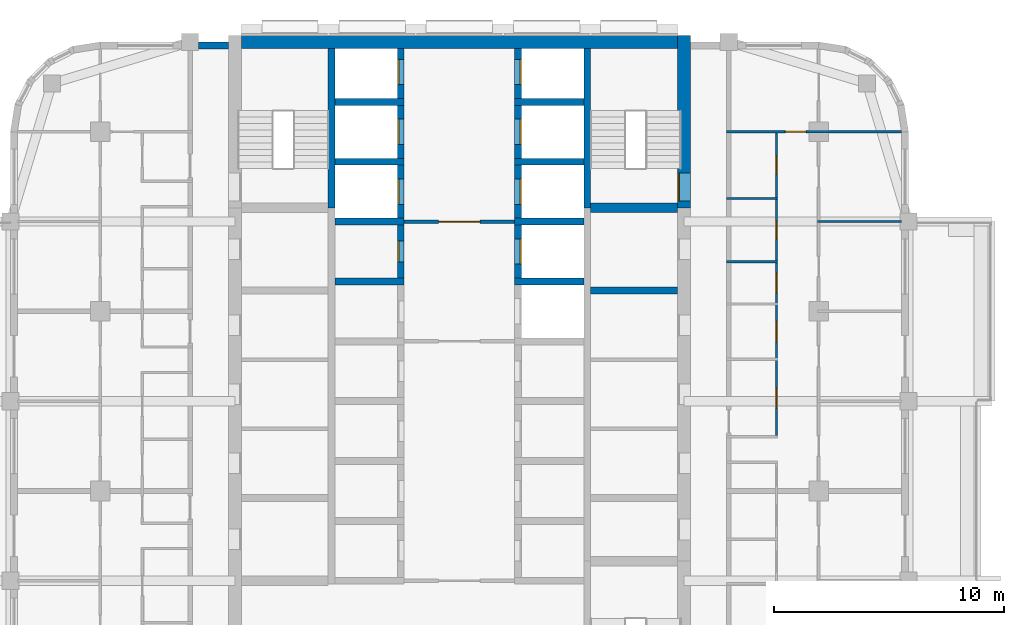
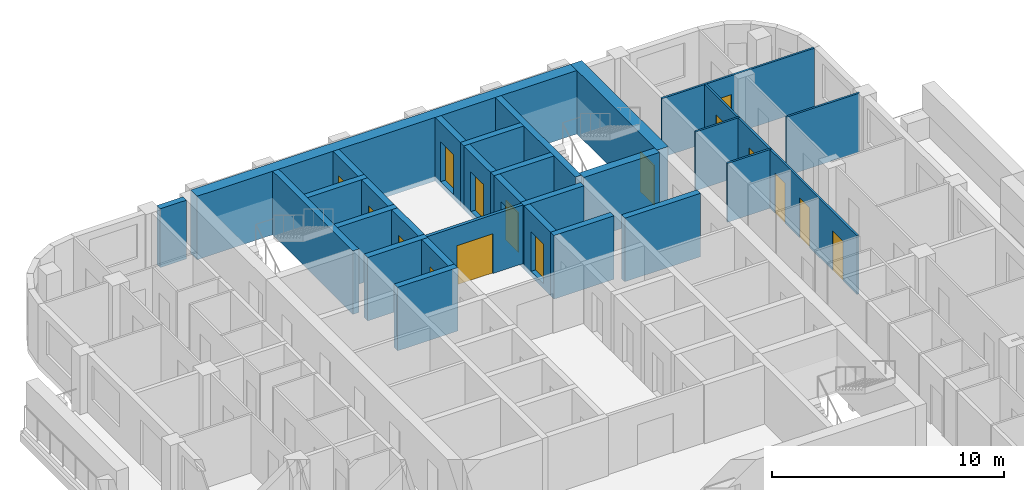
# One storey, part 8 of 13: 29 walls, 16 doors, 16 openings.
"""IFC4 building model written with IfcOpenShell, lengths in metres."""

from ifc_helpers import new_model, si_unit, direction, frame, frame_2d, origin, place, context, subcontext, project, spatial, rectangle, extrude, material, layer, layer_set, type_object, element, fill, save


model = new_model("IFC4")

# Units and contexts
model_context = context("Model", 3, precision=1e-05, world=origin(), true_north=direction((0.0, 1.0)))
body_context = subcontext(model_context, "Body", "Model", "MODEL_VIEW")
ifc_project = project(units=[si_unit("LENGTHUNIT", "METRE"), si_unit("AREAUNIT", "SQUARE_METRE"), si_unit("VOLUMEUNIT", "CUBIC_METRE"), si_unit("PLANEANGLEUNIT", "RADIAN"), si_unit("MASSUNIT", "GRAM", prefix="KILO")], contexts=[model_context])

# Site, building, storey
site_placement = place(None, origin())
site = spatial("IfcSite", under=ifc_project, at=site_placement, CompositionType="ELEMENT")
building_placement = place(site_placement, origin())
building = spatial("IfcBuilding", under=site, at=building_placement, Name="Ludao Terraces", CompositionType="ELEMENT")
storey_placement = place(building_placement, frame((0.0, 0.0, 169.0)))
storey = spatial("IfcBuildingStorey", under=building, at=storey_placement, Name="L46", CompositionType="ELEMENT", Elevation=169.0)

# Wall, opening, door
ifc_material_1 = material(Name="Concrete C60", Category="concrete")
ifc_layer_1 = layer(ifc_material_1, 0.550048828125)
ifc_layer_set_1 = layer_set([ifc_layer_1], Name="Core wall 550 C60")
wall_type_1 = type_object("IfcWallType", Name="Core wall 550 C60", PredefinedType="SOLIDWALL", material=ifc_layer_set_1)
wall_1_placement = place(storey_placement, frame((94.75, 77.300048828125, -0.25), z_axis=(0.0, 0.0, 1.0), x_axis=(0.0, 1.0, 0.0)))
wall_1 = element("IfcWall", 1, at=wall_1_placement, inside=storey, type_object=wall_type_1, Name="Core wall L46 outer-E-S2", PredefinedType="SOLIDWALL", context=body_context, shape_type="SweptSolid", body=[
    extrude(rectangle(XDim=7.474853515625, YDim=0.550048828125, at=frame_2d((3.7373046875, 0.0))), origin(), (0.0, 0.0, 1.0), 3.35009765625),
])
opening_1_placement = place(wall_1_placement, frame((0.300048828125, 0.0, 0.25)))
opening_1 = element("IfcOpeningElement", 2, at=opening_1_placement, cuts=wall_1, Name="Opening R16-077", PredefinedType="OPENING", context=body_context, shape_type="SweptSolid", body=[
    extrude(rectangle(XDim=1.199951171875, YDim=2.10009765625, at=frame_2d((0.60009765625, 1.050048828125))), frame((0.0, 0.28515625, 0.0), z_axis=(0.0, -1.0, 0.0), x_axis=(1.0, 0.0, 0.0)), (0.0, 0.0, 1.0), 0.570068359375),
])
ifc_material_2 = material(Name="Steel Q235", Category="steel")
door_type_1 = type_object("IfcDoorType", Name="INT Stair door 1200", OperationType="DOUBLE_DOOR_SINGLE_SWING", PredefinedType="DOOR", material=ifc_material_2)
door_1_placement = place(opening_1_placement, origin())
door_1 = element("IfcDoor", 3, at=door_1_placement, inside=storey, type_object=door_type_1, Name="DOOR 077", OperationType="DOUBLE_DOOR_SINGLE_SWING", OverallHeight=2.10009765625, OverallWidth=1.199951171875, PredefinedType="DOOR", context=body_context, shape_type="SweptSolid", body=[
    extrude(rectangle(XDim=1.199951171875, YDim=2.10009765625, at=frame_2d((0.60009765625, 1.050048828125))), frame((0.0, 0.26025390625, 0.0), z_axis=(0.0, -1.0, 0.0), x_axis=(1.0, 0.0, 0.0)), (0.0, 0.0, 1.0), 0.050048828125),
])
fill(opening_1, door_1)

# Walls
wall_2_placement = place(storey_placement, frame((75.52490234375, 84.5, -0.25), z_axis=(0.0, 0.0, 1.0), x_axis=(1.0, 0.0, 0.0)))
element("IfcWall", 4, at=wall_2_placement, inside=storey, type_object=wall_type_1, Name="Core wall L46 outer-N", PredefinedType="SOLIDWALL", context=body_context, shape_type="SweptSolid", body=[
    extrude(rectangle(XDim=18.9501953125, YDim=0.550048828125, at=frame_2d((9.47509765625, 0.0))), origin(), (0.0, 0.0, 1.0), 3.35009765625),
])
ifc_material_3 = material(Name="Granite cladding", Category="masonry")
ifc_layer_2 = layer(ifc_material_3, 0.0400390625, Category="stone")
ifc_material_4 = material(Name="Mineral wool")
ifc_layer_3 = layer(ifc_material_4, 0.06005859375)
ifc_material_5 = material(Name="Concrete C40", Category="concrete")
ifc_layer_4 = layer(ifc_material_5, 0.199951171875, Category="concrete")
ifc_layer_set_2 = layer_set([ifc_layer_2, ifc_layer_3, ifc_layer_4], Name="ENV Stone-clad wall 300")
wall_type_2 = type_object("IfcWallType", Name="ENV Stone-clad wall 300", PredefinedType="SOLIDWALL", material=ifc_layer_set_2)
wall_3_placement = place(storey_placement, frame((73.675048828125, 84.35009765625, 0.0), z_axis=(0.0, 0.0, 1.0), x_axis=(1.0, 0.0, 0.0)))
element("IfcWall", 5, at=wall_3_placement, inside=storey, type_object=wall_type_2, Name="EW-L46-N2", PredefinedType="SOLIDWALL", context=body_context, shape_type="SweptSolid", body=[
    extrude(rectangle(XDim=1.300048828125, YDim=0.300048828125, at=frame_2d((0.64990234375, 0.0))), origin(), (0.0, 0.0, 1.0), 3.10009765625),
])

# Wall, opening, door
ifc_material_6 = material(Name="Fire-rated gypsum plasterboard", Category="gypsum")
ifc_layer_5 = layer(ifc_material_6, 0.012451171875, Category="gypsum")
ifc_layer_6 = layer(ifc_material_4, 0.10009765625, Name="insulation")
ifc_layer_7 = layer(ifc_material_2, 0.02490234375, Name="stud")
ifc_layer_8 = layer(ifc_material_6, 0.012451171875, Category="gypsum")
ifc_layer_set_3 = layer_set([ifc_layer_5, ifc_layer_6, ifc_layer_7, ifc_layer_8], Name="INT Core partition 150")
wall_type_3 = type_object("IfcWallType", Name="INT Core partition 150", PredefinedType="PARTITIONING", material=ifc_layer_set_3)
wall_4_placement = place(storey_placement, frame((82.60009765625, 76.699951171875, 0.0), z_axis=(0.0, 0.0, 1.0), x_axis=(1.0, 0.0, 0.0)))
wall_4 = element("IfcWall", 6, at=wall_4_placement, inside=storey, type_object=wall_type_3, Name="PW-L46-PW042", PredefinedType="PARTITIONING", context=body_context, shape_type="SweptSolid", body=[
    extrude(rectangle(XDim=4.800048828125, YDim=0.14990234375, at=frame_2d((2.39990234375, 0.0))), origin(), (0.0, 0.0, 1.0), 3.10009765625),
])
opening_2_placement = place(wall_4_placement, frame((1.5, 0.0, 0.0)))
opening_2 = element("IfcOpeningElement", 7, at=opening_2_placement, cuts=wall_4, Name="Opening R16-073", PredefinedType="OPENING", context=body_context, shape_type="SweptSolid", body=[
    extrude(rectangle(XDim=1.800048828125, YDim=2.10009765625, at=frame_2d((0.89990234375, 1.050048828125))), frame((0.0, 0.0849609375, 0.0), z_axis=(0.0, -1.0, 0.0), x_axis=(1.0, 0.0, 0.0)), (0.0, 0.0, 1.0), 0.169921875),
])
door_type_2 = type_object("IfcDoorType", Name="INT Fire lobby door 1800", OperationType="DOUBLE_DOOR_SINGLE_SWING", PredefinedType="DOOR", material=ifc_material_2)
door_2_placement = place(opening_2_placement, origin())
door_2 = element("IfcDoor", 8, at=door_2_placement, inside=storey, type_object=door_type_2, Name="DOOR 073", OperationType="DOUBLE_DOOR_SINGLE_SWING", OverallHeight=2.10009765625, OverallWidth=1.800048828125, PredefinedType="DOOR", context=body_context, shape_type="SweptSolid", body=[
    extrude(rectangle(XDim=1.800048828125, YDim=2.10009765625, at=frame_2d((0.89990234375, 1.050048828125))), frame((0.0, 0.02490234375, 0.0), z_axis=(0.0, -1.0, 0.0), x_axis=(1.0, 0.0, 0.0)), (0.0, 0.0, 1.0), 0.050048828125),
])
fill(opening_2, door_2)

# Walls
ifc_material_7 = material(Name="Gypsum plasterboard", Category="gypsum")
ifc_layer_9 = layer(ifc_material_7, 0.012451171875, Category="gypsum")
ifc_layer_10 = layer(ifc_material_4, 0.06005859375, Name="insulation")
ifc_layer_11 = layer(ifc_material_2, 0.014892578125, Name="stud")
ifc_layer_12 = layer(ifc_material_7, 0.012451171875, Category="gypsum")
ifc_layer_set_4 = layer_set([ifc_layer_9, ifc_layer_10, ifc_layer_11, ifc_layer_12], Name="INT Partition 100")
wall_type_4 = type_object("IfcWallType", Name="INT Partition 100", PredefinedType="PARTITIONING", material=ifc_layer_set_4)
wall_5_placement = place(storey_placement, frame((96.60009765625, 74.949951171875, 0.0), z_axis=(0.0, 0.0, 1.0), x_axis=(1.0, 0.0, 0.0)))
element("IfcWall", 9, at=wall_5_placement, inside=storey, type_object=wall_type_4, Name="PW-L46-PW040", PredefinedType="PARTITIONING", context=body_context, shape_type="SweptSolid", body=[
    extrude(rectangle(XDim=2.219970703125, YDim=0.10009765625, at=frame_2d((1.10986328125, 0.0))), origin(), (0.0, 0.0, 1.0), 3.10009765625),
])
wall_6_placement = place(storey_placement, frame((100.550048828125, 76.699951171875, 0.0), z_axis=(0.0, 0.0, 1.0), x_axis=(1.0, 0.0, 0.0)))
element("IfcWall", 10, at=wall_6_placement, inside=storey, type_object=wall_type_4, Name="PW-L46-PW043", PredefinedType="PARTITIONING", context=body_context, shape_type="SweptSolid", body=[
    extrude(rectangle(XDim=3.650146484375, YDim=0.10009765625, at=frame_2d((1.8251953125, 0.0))), origin(), (0.0, 0.0, 1.0), 3.10009765625),
])
wall_7_placement = place(storey_placement, frame((96.60009765625, 77.699951171875, 0.0), z_axis=(0.0, 0.0, 1.0), x_axis=(1.0, 0.0, 0.0)))
element("IfcWall", 11, at=wall_7_placement, inside=storey, type_object=wall_type_4, Name="PW-L46-PW045", PredefinedType="PARTITIONING", context=body_context, shape_type="SweptSolid", body=[
    extrude(rectangle(XDim=2.219970703125, YDim=0.10009765625, at=frame_2d((1.10986328125, 0.0))), origin(), (0.0, 0.0, 1.0), 3.10009765625),
])

# Wall, opening, door
wall_8_placement = place(storey_placement, frame((96.60009765625, 80.60009765625, 0.0), z_axis=(0.0, 0.0, 1.0), x_axis=(1.0, 0.0, 0.0)))
wall_8 = element("IfcWall", 12, at=wall_8_placement, inside=storey, type_object=wall_type_4, Name="PW-L46-PW048", PredefinedType="PARTITIONING", context=body_context, shape_type="SweptSolid", body=[
    extrude(rectangle(XDim=7.60009765625, YDim=0.10009765625, at=frame_2d((3.800048828125, 0.0))), origin(), (0.0, 0.0, 1.0), 3.10009765625),
])
opening_3_placement = place(wall_8_placement, frame((2.56005859375, 0.0, 0.0)))
opening_3 = element("IfcOpeningElement", 13, at=opening_3_placement, cuts=wall_8, Name="Opening R16-086", PredefinedType="OPENING", context=body_context, shape_type="SweptSolid", body=[
    extrude(rectangle(XDim=0.89990234375, YDim=2.10009765625, at=frame_2d((0.449951171875, 1.050048828125))), frame((0.0, 0.06005859375, 0.0), z_axis=(0.0, -1.0, 0.0), x_axis=(1.0, 0.0, 0.0)), (0.0, 0.0, 1.0), 0.1201171875),
])
ifc_material_8 = material(Name="Timber door leaf", Category="wood")
door_type_3 = type_object("IfcDoorType", Name="INT Room door 900", OperationType="SINGLE_SWING_LEFT", PredefinedType="DOOR", material=ifc_material_8)
door_3_placement = place(opening_3_placement, origin())
door_3 = element("IfcDoor", 14, at=door_3_placement, inside=storey, type_object=door_type_3, Name="DOOR 086", OperationType="SINGLE_SWING_RIGHT", OverallHeight=2.10009765625, OverallWidth=0.89990234375, PredefinedType="DOOR", context=body_context, shape_type="SweptSolid", body=[
    extrude(rectangle(XDim=0.89990234375, YDim=2.10009765625, at=frame_2d((0.449951171875, 1.050048828125))), frame((0.0, 0.02490234375, 0.0), z_axis=(0.0, -1.0, 0.0), x_axis=(1.0, 0.0, 0.0)), (0.0, 0.0, 1.0), 0.050048828125),
])
fill(opening_3, door_3)

# Wall, openings, doors
wall_9_placement = place(storey_placement, frame((98.77001953125, 67.400146484375, 0.0), z_axis=(0.0, 0.0, 1.0), x_axis=(0.0, 1.0, 0.0)))
wall_9 = element("IfcWall", 15, at=wall_9_placement, inside=storey, type_object=wall_type_4, Name="PW-L46-PW061", PredefinedType="PARTITIONING", context=body_context, shape_type="SweptSolid", body=[
    extrude(rectangle(XDim=13.14990234375, YDim=0.10009765625, at=frame_2d((6.574951171875, 0.0))), origin(), (0.0, 0.0, 1.0), 3.10009765625),
])
opening_4_placement = place(wall_9_placement, frame((1.18505859375, 0.0, 0.0)))
opening_4 = element("IfcOpeningElement", 16, at=opening_4_placement, cuts=wall_9, Name="Opening R16-048", PredefinedType="OPENING", context=body_context, shape_type="SweptSolid", body=[
    extrude(rectangle(XDim=0.89990234375, YDim=2.10009765625, at=frame_2d((0.449951171875, 1.050048828125))), frame((0.0, 0.06005859375, 0.0), z_axis=(0.0, -1.0, 0.0), x_axis=(1.0, 0.0, 0.0)), (0.0, 0.0, 1.0), 0.1201171875),
])
opening_5_placement = place(wall_9_placement, frame((4.070068359375, 0.0, 0.0)))
opening_5 = element("IfcOpeningElement", 17, at=opening_5_placement, cuts=wall_9, Name="Opening R16-056", PredefinedType="OPENING", context=body_context, shape_type="SweptSolid", body=[
    extrude(rectangle(XDim=0.89990234375, YDim=2.10009765625, at=frame_2d((0.449951171875, 1.050048828125))), frame((0.0, 0.06005859375, 0.0), z_axis=(0.0, -1.0, 0.0), x_axis=(1.0, 0.0, 0.0)), (0.0, 0.0, 1.0), 0.1201171875),
])
opening_6_placement = place(wall_9_placement, frame((6.18505859375, 0.0, 0.0)))
opening_6 = element("IfcOpeningElement", 18, at=opening_6_placement, cuts=wall_9, Name="Opening R16-064", PredefinedType="OPENING", context=body_context, shape_type="SweptSolid", body=[
    extrude(rectangle(XDim=0.89990234375, YDim=2.10009765625, at=frame_2d((0.449951171875, 1.050048828125))), frame((0.0, 0.06005859375, 0.0), z_axis=(0.0, -1.0, 0.0), x_axis=(1.0, 0.0, 0.0)), (0.0, 0.0, 1.0), 0.1201171875),
])
opening_7_placement = place(wall_9_placement, frame((8.52490234375, 0.0, 0.0)))
opening_7 = element("IfcOpeningElement", 19, at=opening_7_placement, cuts=wall_9, Name="Opening R16-072", PredefinedType="OPENING", context=body_context, shape_type="SweptSolid", body=[
    extrude(rectangle(XDim=0.800048828125, YDim=2.10009765625, at=frame_2d((0.39990234375, 1.050048828125))), frame((0.0, 0.06005859375, 0.0), z_axis=(0.0, -1.0, 0.0), x_axis=(1.0, 0.0, 0.0)), (0.0, 0.0, 1.0), 0.1201171875),
])
opening_8_placement = place(wall_9_placement, frame((11.35009765625, 0.0, 0.0)))
opening_8 = element("IfcOpeningElement", 20, at=opening_8_placement, cuts=wall_9, Name="Opening R16-081", PredefinedType="OPENING", context=body_context, shape_type="SweptSolid", body=[
    extrude(rectangle(XDim=0.800048828125, YDim=2.10009765625, at=frame_2d((0.39990234375, 1.050048828125))), frame((0.0, 0.06005859375, 0.0), z_axis=(0.0, -1.0, 0.0), x_axis=(1.0, 0.0, 0.0)), (0.0, 0.0, 1.0), 0.1201171875),
])
door_type_4 = type_object("IfcDoorType", Name="INT Bathroom door 900", OperationType="SINGLE_SWING_LEFT", PredefinedType="DOOR", material=ifc_material_8)
door_4_placement = place(opening_5_placement, origin())
door_4 = element("IfcDoor", 21, at=door_4_placement, inside=storey, type_object=door_type_4, Name="DOOR 056", OperationType="SINGLE_SWING_RIGHT", OverallHeight=2.10009765625, OverallWidth=0.89990234375, PredefinedType="DOOR", context=body_context, shape_type="SweptSolid", body=[
    extrude(rectangle(XDim=0.89990234375, YDim=2.10009765625, at=frame_2d((0.449951171875, 1.050048828125))), frame((0.0, 0.02490234375, 0.0), z_axis=(0.0, -1.0, 0.0), x_axis=(1.0, 0.0, 0.0)), (0.0, 0.0, 1.0), 0.050048828125),
])
fill(opening_5, door_4)
door_5_placement = place(opening_6_placement, origin())
door_5 = element("IfcDoor", 22, at=door_5_placement, inside=storey, type_object=door_type_4, Name="DOOR 064", OperationType="SINGLE_SWING_LEFT", OverallHeight=2.10009765625, OverallWidth=0.89990234375, PredefinedType="DOOR", context=body_context, shape_type="SweptSolid", body=[
    extrude(rectangle(XDim=0.89990234375, YDim=2.10009765625, at=frame_2d((0.449951171875, 1.050048828125))), frame((0.0, 0.02490234375, 0.0), z_axis=(0.0, -1.0, 0.0), x_axis=(1.0, 0.0, 0.0)), (0.0, 0.0, 1.0), 0.050048828125),
])
fill(opening_6, door_5)
door_6_placement = place(opening_4_placement, origin())
door_6 = element("IfcDoor", 23, at=door_6_placement, inside=storey, type_object=door_type_3, Name="DOOR 048", OperationType="SINGLE_SWING_LEFT", OverallHeight=2.10009765625, OverallWidth=0.89990234375, PredefinedType="DOOR", context=body_context, shape_type="SweptSolid", body=[
    extrude(rectangle(XDim=0.89990234375, YDim=2.10009765625, at=frame_2d((0.449951171875, 1.050048828125))), frame((0.0, 0.02490234375, 0.0), z_axis=(0.0, -1.0, 0.0), x_axis=(1.0, 0.0, 0.0)), (0.0, 0.0, 1.0), 0.050048828125),
])
fill(opening_4, door_6)
door_type_5 = type_object("IfcDoorType", Name="INT Store door 800", OperationType="SINGLE_SWING_LEFT", PredefinedType="DOOR", material=ifc_material_8)
door_7_placement = place(opening_7_placement, origin())
door_7 = element("IfcDoor", 24, at=door_7_placement, inside=storey, type_object=door_type_5, Name="DOOR 072", OperationType="SINGLE_SWING_LEFT", OverallHeight=2.10009765625, OverallWidth=0.800048828125, PredefinedType="DOOR", context=body_context, shape_type="SweptSolid", body=[
    extrude(rectangle(XDim=0.800048828125, YDim=2.10009765625, at=frame_2d((0.39990234375, 1.050048828125))), frame((0.0, 0.02490234375, 0.0), z_axis=(0.0, -1.0, 0.0), x_axis=(1.0, 0.0, 0.0)), (0.0, 0.0, 1.0), 0.050048828125),
])
fill(opening_7, door_7)
door_8_placement = place(opening_8_placement, origin())
door_8 = element("IfcDoor", 25, at=door_8_placement, inside=storey, type_object=door_type_5, Name="DOOR 081", OperationType="SINGLE_SWING_RIGHT", OverallHeight=2.10009765625, OverallWidth=0.800048828125, PredefinedType="DOOR", context=body_context, shape_type="SweptSolid", body=[
    extrude(rectangle(XDim=0.800048828125, YDim=2.10009765625, at=frame_2d((0.39990234375, 1.050048828125))), frame((0.0, 0.02490234375, 0.0), z_axis=(0.0, -1.0, 0.0), x_axis=(1.0, 0.0, 0.0)), (0.0, 0.0, 1.0), 0.050048828125),
])
fill(opening_8, door_8)

# Walls
ifc_material_9 = material(Name="Concrete C55", Category="concrete")
ifc_layer_13 = layer(ifc_material_9, 0.300048828125)
ifc_layer_set_5 = layer_set([ifc_layer_13], Name="Shaft wall 300 C55")
wall_type_5 = type_object("IfcWallType", Name="Shaft wall 300 C55", PredefinedType="SOLIDWALL", material=ifc_layer_set_5)
for number, where, z_axis, x_axis, name in (
    (26, (79.449951171875, 77.300048828125, -0.25), (0.0, 0.0, 1.0), (0.0, 1.0, 0.0), "Core wall L46 back-W-S1"),
    (27, (90.550048828125, 77.300048828125, -0.25), (0.0, 0.0, 1.0), (0.0, 1.0, 0.0), "Core wall L46 back-E-S2"),
):
    element("IfcWall", number, at=place(storey_placement, frame(where, z_axis=z_axis, x_axis=x_axis)), inside=storey, type_object=wall_type_5, Name=name, PredefinedType="SOLIDWALL", context=body_context, shape_type="SweptSolid", body=[
        extrude(rectangle(XDim=6.925048828125, YDim=0.300048828125, at=frame_2d((3.46240234375, 0.0))), origin(), (0.0, 0.0, 1.0), 3.35009765625),
    ])
wall_10_placement = place(storey_placement, frame((79.60009765625, 74.10009765625, -0.25), z_axis=(0.0, 0.0, 1.0), x_axis=(1.0, 0.0, 0.0)))
element("IfcWall", 28, at=wall_10_placement, inside=storey, type_object=wall_type_5, Name="Core wall L46 div-W6", PredefinedType="SOLIDWALL", context=body_context, shape_type="SweptSolid", body=[
    extrude(rectangle(XDim=3.0, YDim=0.300048828125, at=frame_2d((1.5, 0.0))), origin(), (0.0, 0.0, 1.0), 3.35009765625),
])

# Wall, opening, door
wall_11_placement = place(storey_placement, frame((82.449951171875, 74.25, -0.25), z_axis=(0.0, 0.0, 1.0), x_axis=(0.0, 1.0, 0.0)))
wall_11 = element("IfcWall", 29, at=wall_11_placement, inside=storey, type_object=wall_type_5, Name="Core wall L46 front-W6", PredefinedType="SOLIDWALL", context=body_context, shape_type="SweptSolid", body=[
    extrude(rectangle(XDim=2.300048828125, YDim=0.300048828125, at=frame_2d((1.14990234375, 0.0))), origin(), (0.0, 0.0, 1.0), 3.35009765625),
])
opening_9_placement = place(wall_11_placement, frame((0.699951171875, 0.0, 0.25)))
opening_9 = element("IfcOpeningElement", 30, at=opening_9_placement, cuts=wall_11, Name="Opening R16-067", PredefinedType="OPENING", context=body_context, shape_type="SweptSolid", body=[
    extrude(rectangle(XDim=0.89990234375, YDim=2.10009765625, at=frame_2d((0.449951171875, 1.050048828125))), frame((0.0, 0.16015625, 0.0), z_axis=(0.0, -1.0, 0.0), x_axis=(1.0, 0.0, 0.0)), (0.0, 0.0, 1.0), 0.320068359375),
])
door_9_placement = place(opening_9_placement, origin())
door_9 = element("IfcDoor", 31, at=door_9_placement, inside=storey, type_object=door_type_3, Name="DOOR 067", OperationType="SINGLE_SWING_RIGHT", OverallHeight=2.10009765625, OverallWidth=0.89990234375, PredefinedType="DOOR", context=body_context, shape_type="SweptSolid", body=[
    extrude(rectangle(XDim=0.89990234375, YDim=2.10009765625, at=frame_2d((0.449951171875, 1.050048828125))), frame((0.0, 0.13525390625, 0.0), z_axis=(0.0, -1.0, 0.0), x_axis=(1.0, 0.0, 0.0)), (0.0, 0.0, 1.0), 0.050048828125),
])
fill(opening_9, door_9)

# Wall
wall_12_placement = place(storey_placement, frame((79.60009765625, 76.699951171875, -0.25), z_axis=(0.0, 0.0, 1.0), x_axis=(1.0, 0.0, 0.0)))
element("IfcWall", 32, at=wall_12_placement, inside=storey, type_object=wall_type_5, Name="Core wall L46 div-W7", PredefinedType="SOLIDWALL", context=body_context, shape_type="SweptSolid", body=[
    extrude(rectangle(XDim=3.0, YDim=0.300048828125, at=frame_2d((1.5, 0.0))), origin(), (0.0, 0.0, 1.0), 3.35009765625),
])

# Wall, opening, door
wall_13_placement = place(storey_placement, frame((82.449951171875, 76.85009765625, -0.25), z_axis=(0.0, 0.0, 1.0), x_axis=(0.0, 1.0, 0.0)))
wall_13 = element("IfcWall", 33, at=wall_13_placement, inside=storey, type_object=wall_type_5, Name="Core wall L46 front-W7", PredefinedType="SOLIDWALL", context=body_context, shape_type="SweptSolid", body=[
    extrude(rectangle(XDim=2.2998046875, YDim=0.300048828125, at=frame_2d((1.14990234375, 0.0))), origin(), (0.0, 0.0, 1.0), 3.35009765625),
])
opening_10_placement = place(wall_13_placement, frame((0.60009765625, 0.0, 0.25)))
opening_10 = element("IfcOpeningElement", 34, at=opening_10_placement, cuts=wall_13, Name="Opening LD-FF1", PredefinedType="OPENING", context=body_context, shape_type="SweptSolid", body=[
    extrude(rectangle(XDim=1.10009765625, YDim=2.10009765625, at=frame_2d((0.550048828125, 1.050048828125))), frame((0.0, 0.16015625, 0.0), z_axis=(0.0, -1.0, 0.0), x_axis=(1.0, 0.0, 0.0)), (0.0, 0.0, 1.0), 0.320068359375),
])
ifc_material_10 = material(Name="Stainless steel 304", Category="steel")
door_type_6 = type_object("IfcDoorType", Name="INT Lift landing door 1100", OperationType="SLIDING_TO_LEFT", PredefinedType="DOOR", material=ifc_material_10)
door_10_placement = place(opening_10_placement, origin())
door_10 = element("IfcDoor", 35, at=door_10_placement, inside=storey, type_object=door_type_6, Name="LANDING DOOR FF1 L46", OperationType="SLIDING_TO_LEFT", OverallHeight=2.10009765625, OverallWidth=1.10009765625, PredefinedType="DOOR", context=body_context, shape_type="SweptSolid", body=[
    extrude(rectangle(XDim=1.10009765625, YDim=2.10009765625, at=frame_2d((0.550048828125, 1.050048828125))), frame((0.0, 0.13525390625, 0.0), z_axis=(0.0, -1.0, 0.0), x_axis=(1.0, 0.0, 0.0)), (0.0, 0.0, 1.0), 0.050048828125),
])
fill(opening_10, door_10)

# Wall
wall_14_placement = place(storey_placement, frame((79.60009765625, 79.300048828125, -0.25), z_axis=(0.0, 0.0, 1.0), x_axis=(1.0, 0.0, 0.0)))
element("IfcWall", 36, at=wall_14_placement, inside=storey, type_object=wall_type_5, Name="Core wall L46 div-W8", PredefinedType="SOLIDWALL", context=body_context, shape_type="SweptSolid", body=[
    extrude(rectangle(XDim=3.0, YDim=0.300048828125, at=frame_2d((1.5, 0.0))), origin(), (0.0, 0.0, 1.0), 3.35009765625),
])

# Wall, opening, door
wall_15_placement = place(storey_placement, frame((82.449951171875, 79.449951171875, -0.25), z_axis=(0.0, 0.0, 1.0), x_axis=(0.0, 1.0, 0.0)))
wall_15 = element("IfcWall", 37, at=wall_15_placement, inside=storey, type_object=wall_type_5, Name="Core wall L46 front-W8", PredefinedType="SOLIDWALL", context=body_context, shape_type="SweptSolid", body=[
    extrude(rectangle(XDim=2.300048828125, YDim=0.300048828125, at=frame_2d((1.14990234375, 0.0))), origin(), (0.0, 0.0, 1.0), 3.35009765625),
])
opening_11_placement = place(wall_15_placement, frame((0.60009765625, 0.0, 0.25)))
opening_11 = element("IfcOpeningElement", 38, at=opening_11_placement, cuts=wall_15, Name="Opening LD-FF2", PredefinedType="OPENING", context=body_context, shape_type="SweptSolid", body=[
    extrude(rectangle(XDim=1.10009765625, YDim=2.10009765625, at=frame_2d((0.550048828125, 1.050048828125))), frame((0.0, 0.16015625, 0.0), z_axis=(0.0, -1.0, 0.0), x_axis=(1.0, 0.0, 0.0)), (0.0, 0.0, 1.0), 0.320068359375),
])
door_11_placement = place(opening_11_placement, origin())
door_11 = element("IfcDoor", 39, at=door_11_placement, inside=storey, type_object=door_type_6, Name="LANDING DOOR FF2 L46", OperationType="SLIDING_TO_LEFT", OverallHeight=2.10009765625, OverallWidth=1.10009765625, PredefinedType="DOOR", context=body_context, shape_type="SweptSolid", body=[
    extrude(rectangle(XDim=1.10009765625, YDim=2.10009765625, at=frame_2d((0.550048828125, 1.050048828125))), frame((0.0, 0.13525390625, 0.0), z_axis=(0.0, -1.0, 0.0), x_axis=(1.0, 0.0, 0.0)), (0.0, 0.0, 1.0), 0.050048828125),
])
fill(opening_11, door_11)

# Wall
wall_16_placement = place(storey_placement, frame((79.60009765625, 81.89990234375, -0.25), z_axis=(0.0, 0.0, 1.0), x_axis=(1.0, 0.0, 0.0)))
element("IfcWall", 40, at=wall_16_placement, inside=storey, type_object=wall_type_5, Name="Core wall L46 div-W9", PredefinedType="SOLIDWALL", context=body_context, shape_type="SweptSolid", body=[
    extrude(rectangle(XDim=3.0, YDim=0.300048828125, at=frame_2d((1.5, 0.0))), origin(), (0.0, 0.0, 1.0), 3.35009765625),
])

# Wall, opening, door
wall_17_placement = place(storey_placement, frame((82.449951171875, 82.050048828125, -0.25), z_axis=(0.0, 0.0, 1.0), x_axis=(0.0, 1.0, 0.0)))
wall_17 = element("IfcWall", 41, at=wall_17_placement, inside=storey, type_object=wall_type_5, Name="Core wall L46 front-W9", PredefinedType="SOLIDWALL", context=body_context, shape_type="SweptSolid", body=[
    extrude(rectangle(XDim=2.175048828125, YDim=0.300048828125, at=frame_2d((1.08740234375, 0.0))), origin(), (0.0, 0.0, 1.0), 3.35009765625),
])
opening_12_placement = place(wall_17_placement, frame((0.60009765625, 0.0, 0.25)))
opening_12 = element("IfcOpeningElement", 42, at=opening_12_placement, cuts=wall_17, Name="Opening LD-LB6", PredefinedType="OPENING", context=body_context, shape_type="SweptSolid", body=[
    extrude(rectangle(XDim=1.10009765625, YDim=2.10009765625, at=frame_2d((0.550048828125, 1.050048828125))), frame((0.0, 0.16015625, 0.0), z_axis=(0.0, -1.0, 0.0), x_axis=(1.0, 0.0, 0.0)), (0.0, 0.0, 1.0), 0.320068359375),
])
door_12_placement = place(opening_12_placement, origin())
door_12 = element("IfcDoor", 43, at=door_12_placement, inside=storey, type_object=door_type_6, Name="LANDING DOOR LB6 L46", OperationType="SLIDING_TO_RIGHT", OverallHeight=2.10009765625, OverallWidth=1.10009765625, PredefinedType="DOOR", context=body_context, shape_type="SweptSolid", body=[
    extrude(rectangle(XDim=1.10009765625, YDim=2.10009765625, at=frame_2d((0.550048828125, 1.050048828125))), frame((0.0, 0.13525390625, 0.0), z_axis=(0.0, -1.0, 0.0), x_axis=(1.0, 0.0, 0.0)), (0.0, 0.0, 1.0), 0.050048828125),
])
fill(opening_12, door_12)

# Wall
wall_18_placement = place(storey_placement, frame((87.39990234375, 74.10009765625, -0.25), z_axis=(0.0, 0.0, 1.0), x_axis=(1.0, 0.0, 0.0)))
element("IfcWall", 44, at=wall_18_placement, inside=storey, type_object=wall_type_5, Name="Core wall L46 div-E6", PredefinedType="SOLIDWALL", context=body_context, shape_type="SweptSolid", body=[
    extrude(rectangle(XDim=3.0, YDim=0.300048828125, at=frame_2d((1.5, 0.0))), origin(), (0.0, 0.0, 1.0), 3.35009765625),
])

# Wall, opening, door
wall_19_placement = place(storey_placement, frame((87.550048828125, 74.25, -0.25), z_axis=(0.0, 0.0, 1.0), x_axis=(0.0, 1.0, 0.0)))
wall_19 = element("IfcWall", 45, at=wall_19_placement, inside=storey, type_object=wall_type_5, Name="Core wall L46 front-E6", PredefinedType="SOLIDWALL", context=body_context, shape_type="SweptSolid", body=[
    extrude(rectangle(XDim=2.300048828125, YDim=0.300048828125, at=frame_2d((1.14990234375, 0.0))), origin(), (0.0, 0.0, 1.0), 3.35009765625),
])
opening_13_placement = place(wall_19_placement, frame((0.60009765625, 0.0, 0.25)))
opening_13 = element("IfcOpeningElement", 46, at=opening_13_placement, cuts=wall_19, Name="Opening LD-LB2", PredefinedType="OPENING", context=body_context, shape_type="SweptSolid", body=[
    extrude(rectangle(XDim=1.10009765625, YDim=2.10009765625, at=frame_2d((0.550048828125, 1.050048828125))), frame((0.0, 0.16015625, 0.0), z_axis=(0.0, -1.0, 0.0), x_axis=(1.0, 0.0, 0.0)), (0.0, 0.0, 1.0), 0.320068359375),
])
door_13_placement = place(opening_13_placement, origin())
door_13 = element("IfcDoor", 47, at=door_13_placement, inside=storey, type_object=door_type_6, Name="LANDING DOOR LB2 L46", OperationType="SLIDING_TO_LEFT", OverallHeight=2.10009765625, OverallWidth=1.10009765625, PredefinedType="DOOR", context=body_context, shape_type="SweptSolid", body=[
    extrude(rectangle(XDim=1.10009765625, YDim=2.10009765625, at=frame_2d((0.550048828125, 1.050048828125))), frame((0.0, -0.0849609375, 0.0), z_axis=(0.0, -1.0, 0.0), x_axis=(1.0, 0.0, 0.0)), (0.0, 0.0, 1.0), 0.050048828125),
])
fill(opening_13, door_13)

# Wall
wall_20_placement = place(storey_placement, frame((87.39990234375, 76.699951171875, -0.25), z_axis=(0.0, 0.0, 1.0), x_axis=(1.0, 0.0, 0.0)))
element("IfcWall", 48, at=wall_20_placement, inside=storey, type_object=wall_type_5, Name="Core wall L46 div-E7", PredefinedType="SOLIDWALL", context=body_context, shape_type="SweptSolid", body=[
    extrude(rectangle(XDim=3.0, YDim=0.300048828125, at=frame_2d((1.5, 0.0))), origin(), (0.0, 0.0, 1.0), 3.35009765625),
])

# Wall, opening, door
wall_21_placement = place(storey_placement, frame((87.550048828125, 76.85009765625, -0.25), z_axis=(0.0, 0.0, 1.0), x_axis=(0.0, 1.0, 0.0)))
wall_21 = element("IfcWall", 49, at=wall_21_placement, inside=storey, type_object=wall_type_5, Name="Core wall L46 front-E7", PredefinedType="SOLIDWALL", context=body_context, shape_type="SweptSolid", body=[
    extrude(rectangle(XDim=2.2998046875, YDim=0.300048828125, at=frame_2d((1.14990234375, 0.0))), origin(), (0.0, 0.0, 1.0), 3.35009765625),
])
opening_14_placement = place(wall_21_placement, frame((0.60009765625, 0.0, 0.25)))
opening_14 = element("IfcOpeningElement", 50, at=opening_14_placement, cuts=wall_21, Name="Opening LD-LB3", PredefinedType="OPENING", context=body_context, shape_type="SweptSolid", body=[
    extrude(rectangle(XDim=1.10009765625, YDim=2.10009765625, at=frame_2d((0.550048828125, 1.050048828125))), frame((0.0, 0.16015625, 0.0), z_axis=(0.0, -1.0, 0.0), x_axis=(1.0, 0.0, 0.0)), (0.0, 0.0, 1.0), 0.320068359375),
])
door_14_placement = place(opening_14_placement, origin())
door_14 = element("IfcDoor", 51, at=door_14_placement, inside=storey, type_object=door_type_6, Name="LANDING DOOR LB3 L46", OperationType="SLIDING_TO_LEFT", OverallHeight=2.10009765625, OverallWidth=1.10009765625, PredefinedType="DOOR", context=body_context, shape_type="SweptSolid", body=[
    extrude(rectangle(XDim=1.10009765625, YDim=2.10009765625, at=frame_2d((0.550048828125, 1.050048828125))), frame((0.0, -0.0849609375, 0.0), z_axis=(0.0, -1.0, 0.0), x_axis=(1.0, 0.0, 0.0)), (0.0, 0.0, 1.0), 0.050048828125),
])
fill(opening_14, door_14)

# Wall
wall_22_placement = place(storey_placement, frame((87.39990234375, 79.300048828125, -0.25), z_axis=(0.0, 0.0, 1.0), x_axis=(1.0, 0.0, 0.0)))
element("IfcWall", 52, at=wall_22_placement, inside=storey, type_object=wall_type_5, Name="Core wall L46 div-E8", PredefinedType="SOLIDWALL", context=body_context, shape_type="SweptSolid", body=[
    extrude(rectangle(XDim=3.0, YDim=0.300048828125, at=frame_2d((1.5, 0.0))), origin(), (0.0, 0.0, 1.0), 3.35009765625),
])

# Wall, opening, door
wall_23_placement = place(storey_placement, frame((87.550048828125, 79.449951171875, -0.25), z_axis=(0.0, 0.0, 1.0), x_axis=(0.0, 1.0, 0.0)))
wall_23 = element("IfcWall", 53, at=wall_23_placement, inside=storey, type_object=wall_type_5, Name="Core wall L46 front-E8", PredefinedType="SOLIDWALL", context=body_context, shape_type="SweptSolid", body=[
    extrude(rectangle(XDim=2.300048828125, YDim=0.300048828125, at=frame_2d((1.14990234375, 0.0))), origin(), (0.0, 0.0, 1.0), 3.35009765625),
])
opening_15_placement = place(wall_23_placement, frame((0.60009765625, 0.0, 0.25)))
opening_15 = element("IfcOpeningElement", 54, at=opening_15_placement, cuts=wall_23, Name="Opening LD-LB4", PredefinedType="OPENING", context=body_context, shape_type="SweptSolid", body=[
    extrude(rectangle(XDim=1.10009765625, YDim=2.10009765625, at=frame_2d((0.550048828125, 1.050048828125))), frame((0.0, 0.16015625, 0.0), z_axis=(0.0, -1.0, 0.0), x_axis=(1.0, 0.0, 0.0)), (0.0, 0.0, 1.0), 0.320068359375),
])
door_15_placement = place(opening_15_placement, origin())
door_15 = element("IfcDoor", 55, at=door_15_placement, inside=storey, type_object=door_type_6, Name="LANDING DOOR LB4 L46", OperationType="SLIDING_TO_RIGHT", OverallHeight=2.10009765625, OverallWidth=1.10009765625, PredefinedType="DOOR", context=body_context, shape_type="SweptSolid", body=[
    extrude(rectangle(XDim=1.10009765625, YDim=2.10009765625, at=frame_2d((0.550048828125, 1.050048828125))), frame((0.0, -0.0849609375, 0.0), z_axis=(0.0, -1.0, 0.0), x_axis=(1.0, 0.0, 0.0)), (0.0, 0.0, 1.0), 0.050048828125),
])
fill(opening_15, door_15)

# Wall
wall_24_placement = place(storey_placement, frame((87.39990234375, 81.89990234375, -0.25), z_axis=(0.0, 0.0, 1.0), x_axis=(1.0, 0.0, 0.0)))
element("IfcWall", 56, at=wall_24_placement, inside=storey, type_object=wall_type_5, Name="Core wall L46 div-E9", PredefinedType="SOLIDWALL", context=body_context, shape_type="SweptSolid", body=[
    extrude(rectangle(XDim=3.0, YDim=0.300048828125, at=frame_2d((1.5, 0.0))), origin(), (0.0, 0.0, 1.0), 3.35009765625),
])

# Wall, opening, door
wall_25_placement = place(storey_placement, frame((87.550048828125, 82.050048828125, -0.25), z_axis=(0.0, 0.0, 1.0), x_axis=(0.0, 1.0, 0.0)))
wall_25 = element("IfcWall", 57, at=wall_25_placement, inside=storey, type_object=wall_type_5, Name="Core wall L46 front-E9", PredefinedType="SOLIDWALL", context=body_context, shape_type="SweptSolid", body=[
    extrude(rectangle(XDim=2.175048828125, YDim=0.300048828125, at=frame_2d((1.08740234375, 0.0))), origin(), (0.0, 0.0, 1.0), 3.35009765625),
])
opening_16_placement = place(wall_25_placement, frame((0.60009765625, 0.0, 0.25)))
opening_16 = element("IfcOpeningElement", 58, at=opening_16_placement, cuts=wall_25, Name="Opening LD-LB5", PredefinedType="OPENING", context=body_context, shape_type="SweptSolid", body=[
    extrude(rectangle(XDim=1.10009765625, YDim=2.10009765625, at=frame_2d((0.550048828125, 1.050048828125))), frame((0.0, 0.16015625, 0.0), z_axis=(0.0, -1.0, 0.0), x_axis=(1.0, 0.0, 0.0)), (0.0, 0.0, 1.0), 0.320068359375),
])
door_16_placement = place(opening_16_placement, origin())
door_16 = element("IfcDoor", 59, at=door_16_placement, inside=storey, type_object=door_type_6, Name="LANDING DOOR LB5 L46", OperationType="SLIDING_TO_RIGHT", OverallHeight=2.10009765625, OverallWidth=1.10009765625, PredefinedType="DOOR", context=body_context, shape_type="SweptSolid", body=[
    extrude(rectangle(XDim=1.10009765625, YDim=2.10009765625, at=frame_2d((0.550048828125, 1.050048828125))), frame((0.0, -0.0849609375, 0.0), z_axis=(0.0, -1.0, 0.0), x_axis=(1.0, 0.0, 0.0)), (0.0, 0.0, 1.0), 0.050048828125),
])
fill(opening_16, door_16)

# Walls
wall_26_placement = place(storey_placement, frame((90.699951171875, 73.699951171875, -0.25), z_axis=(0.0, 0.0, 1.0), x_axis=(1.0, 0.0, 0.0)))
element("IfcWall", 60, at=wall_26_placement, inside=storey, type_object=wall_type_5, Name="Core wall L46 riser-b-E", PredefinedType="SOLIDWALL", context=body_context, shape_type="SweptSolid", body=[
    extrude(rectangle(XDim=3.775146484375, YDim=0.300048828125, at=frame_2d((1.8876953125, 0.0))), origin(), (0.0, 0.0, 1.0), 3.35009765625),
])
ifc_layer_14 = layer(ifc_material_9, 0.39990234375)
ifc_layer_set_6 = layer_set([ifc_layer_14], Name="Shaft wall 400 C55")
wall_type_6 = type_object("IfcWallType", Name="Shaft wall 400 C55", PredefinedType="SOLIDWALL", material=ifc_layer_set_6)
wall_27_placement = place(storey_placement, frame((90.699951171875, 77.300048828125, -0.25), z_axis=(0.0, 0.0, 1.0), x_axis=(1.0, 0.0, 0.0)))
element("IfcWall", 61, at=wall_27_placement, inside=storey, type_object=wall_type_6, Name="Core wall L46 stair-E", PredefinedType="SOLIDWALL", context=body_context, shape_type="SweptSolid", body=[
    extrude(rectangle(XDim=3.775146484375, YDim=0.39990234375, at=frame_2d((1.8876953125, 0.0))), origin(), (0.0, 0.0, 1.0), 3.35009765625),
])

save(model, "model.ifc")
